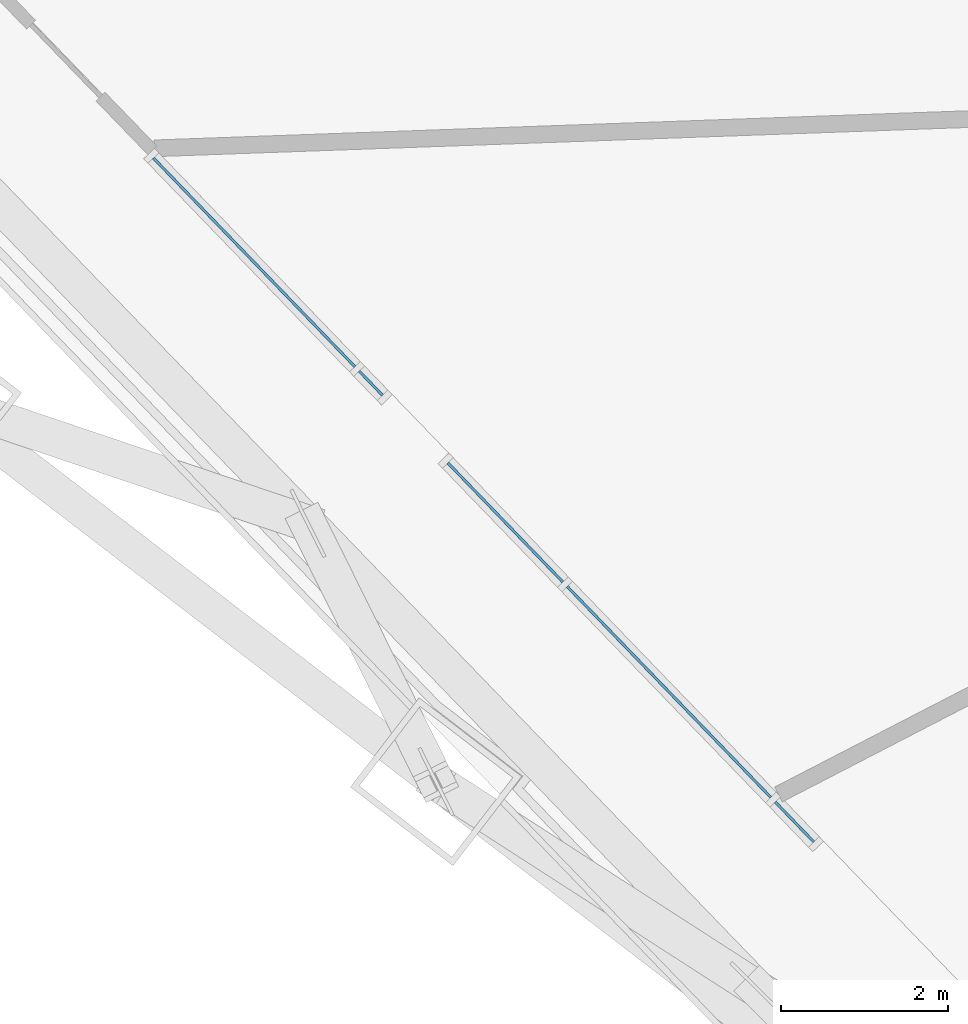
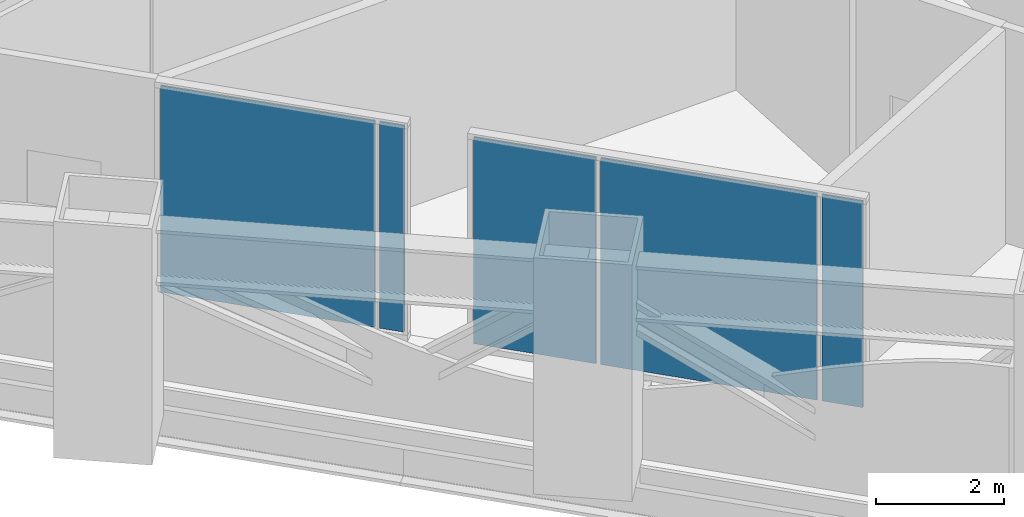
# One storey, part 7 of 26: 5 plates, 2 elements without a shape of their own.
"""IFC4 building model written with IfcOpenShell, lengths in metres."""

from ifc_helpers import new_model, si_unit, direction, frame, origin, origin_2d, place, context, subcontext, project, spatial, rectangle, extrude, material, layer, layer_set, type_object, element, aggregate, save


model = new_model("IFC4")

# Units and contexts
model_context = context("Model", 3, precision=1e-05, world=origin(), true_north=direction((0.0, 1.0)))
body_context = subcontext(model_context, "Body", "Model", "MODEL_VIEW")
ifc_project = project(units=[si_unit("LENGTHUNIT", "METRE"), si_unit("AREAUNIT", "SQUARE_METRE"), si_unit("VOLUMEUNIT", "CUBIC_METRE"), si_unit("PLANEANGLEUNIT", "RADIAN"), si_unit("MASSUNIT", "GRAM", prefix="KILO")], contexts=[model_context])

# Site, building, storey
site_placement = place(None, origin())
site = spatial("IfcSite", under=ifc_project, at=site_placement, CompositionType="ELEMENT")
building_placement = place(site_placement, origin())
building = spatial("IfcBuilding", under=site, at=building_placement, Name="Trine Commons Tower", CompositionType="ELEMENT")
storey_placement = place(building_placement, frame((0.0, 0.0, 119.699951171875)))
storey = spatial("IfcBuildingStorey", under=building, at=storey_placement, Name="L30", CompositionType="ELEMENT", Elevation=119.699951171875)

# Curtain wall, plates
ifc_material_1 = material(Name="Sky lounge glazing: anodised aluminium frame with low-emissivity double glazed unit, solar control", Category="aluminium")
ifc_layer_1 = layer(ifc_material_1, 0.179931640625)
ifc_layer_set_1 = layer_set([ifc_layer_1], Name="Sky lounge glazing: anodised aluminium frame with low-emissivity double glazed unit, solar control")
curtain_wall_type = type_object("IfcCurtainWallType", Name="Sky lounge glazing curtain wall CW5", PredefinedType="NOTDEFINED", material=ifc_layer_set_1)
curtain_wall_1_placement = place(storey_placement, origin())
curtain_wall_1 = element("IfcCurtainWall", 1, at=curtain_wall_1_placement, inside=storey, type_object=curtain_wall_type, Name="Sky lounge glazing L30 F3.1", PredefinedType="NOTDEFINED")
ifc_material_2 = material(Name="Low-emissivity double glazed unit, solar control")
ifc_layer_2 = layer(ifc_material_2, 0.031982421875)
ifc_layer_set_2 = layer_set([ifc_layer_2], Name="Low-emissivity double glazed unit, solar control")
plate_type = type_object("IfcPlateType", Name="Double glazed unit 32 mm (sky floors)", PredefinedType="CURTAIN_PANEL", material=ifc_layer_set_2)
plate_1_placement = place(storey_placement, frame((63.52783203125, 53.560546875, 0.10986328125), z_axis=(0.0, 0.0, 1.0), x_axis=(-0.694658370459, 0.719339800339, 0.0)))
plate_1 = element("IfcPlate", 2, at=plate_1_placement, type_object=plate_type, Name="CW5 panel 1.1", PredefinedType="CURTAIN_PANEL", context=body_context, shape_type="SweptSolid", body=[
    extrude(rectangle(XDim=0.666015625, YDim=0.031982421875, at=origin_2d()), origin(), (0.0, 0.0, 1.0), 3.929931640625),
])
plate_2_placement = place(storey_placement, frame((62.024169921875, 55.11767578125, 0.10986328125), z_axis=(0.0, 0.0, 1.0), x_axis=(-0.694658370459, 0.719339800339, 0.0)))
plate_2 = element("IfcPlate", 3, at=plate_2_placement, type_object=plate_type, Name="CW5 panel 2.1", PredefinedType="CURTAIN_PANEL", context=body_context, shape_type="SweptSolid", body=[
    extrude(rectangle(XDim=3.51318359375, YDim=0.031982421875, at=origin_2d()), origin(), (0.0, 0.0, 1.0), 3.929931640625),
])
plate_3_placement = place(storey_placement, frame((60.062255859375, 57.1494140625, 0.10986328125), z_axis=(0.0, 0.0, 1.0), x_axis=(-0.694658370459, 0.719339800339, 0.0)))
plate_3 = element("IfcPlate", 4, at=plate_3_placement, type_object=plate_type, Name="CW5 panel 3.1", PredefinedType="CURTAIN_PANEL", context=body_context, shape_type="SweptSolid", body=[
    extrude(rectangle(XDim=1.985595703125, YDim=0.031982421875, at=origin_2d()), origin(), (0.0, 0.0, 1.0), 3.929931640625),
])
aggregate(curtain_wall_1, [plate_1, plate_2, plate_3])

curtain_wall_2_placement = place(storey_placement, origin())
curtain_wall_2 = element("IfcCurtainWall", 5, at=curtain_wall_2_placement, inside=storey, type_object=curtain_wall_type, Name="Sky lounge glazing L30 F3.2", PredefinedType="NOTDEFINED")
plate_4_placement = place(storey_placement, frame((58.450927734375, 58.81787109375, 0.10986328125), z_axis=(0.0, 0.0, 1.0), x_axis=(-0.694658370459, 0.719339800339, 0.0)))
plate_4 = element("IfcPlate", 6, at=plate_4_placement, type_object=plate_type, Name="CW5 panel 1.1", PredefinedType="CURTAIN_PANEL", context=body_context, shape_type="SweptSolid", body=[
    extrude(rectangle(XDim=0.401611328125, YDim=0.031982421875, at=origin_2d()), origin(), (0.0, 0.0, 1.0), 3.929931640625),
])
plate_5_placement = place(storey_placement, frame((57.052001953125, 60.266357421875, 0.10986328125), z_axis=(0.0, 0.0, 1.0), x_axis=(-0.694658370459, 0.719339800339, 0.0)))
plate_5 = element("IfcPlate", 7, at=plate_5_placement, type_object=plate_type, Name="CW5 panel 2.1", PredefinedType="CURTAIN_PANEL", context=body_context, shape_type="SweptSolid", body=[
    extrude(rectangle(XDim=3.4755859375, YDim=0.031982421875, at=origin_2d()), origin(), (0.0, 0.0, 1.0), 3.929931640625),
])
aggregate(curtain_wall_2, [plate_4, plate_5])

save(model, "model.ifc")
